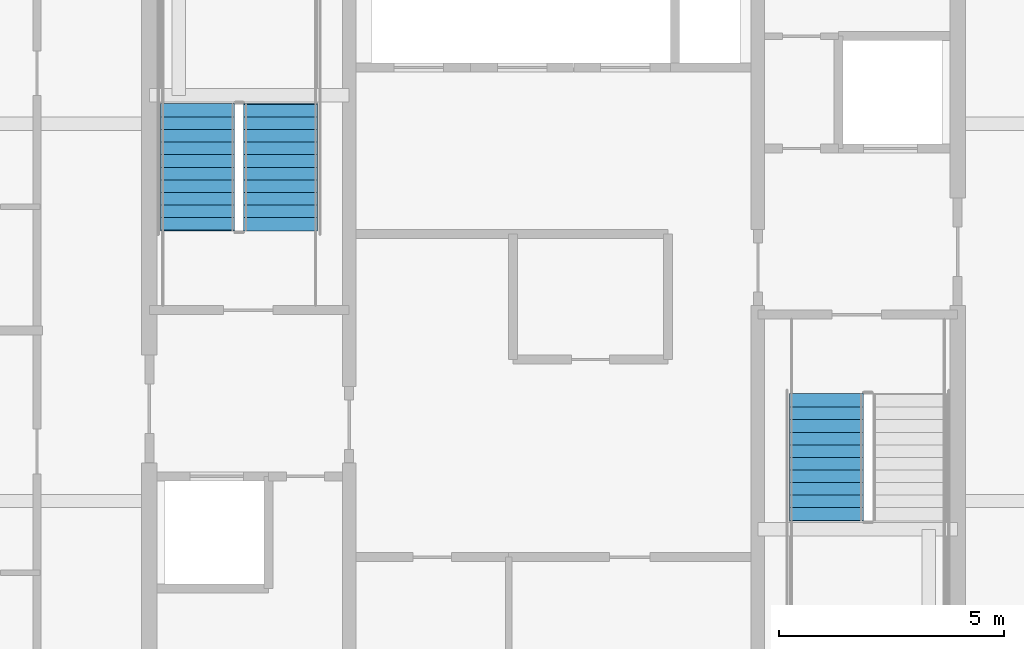
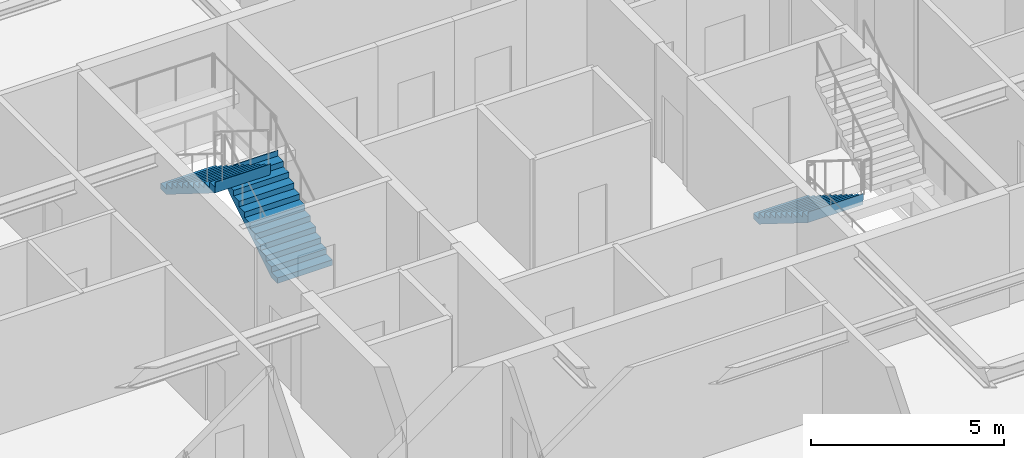
# One storey, part 31 of 37: 3 stair flights, 2 elements without a shape of their own.
"""IFC4 building model written with IfcOpenShell, lengths in metres."""

from ifc_helpers import new_model, si_unit, direction, frame, origin, place, context, subcontext, project, spatial, polygons, material, type_object, element, aggregate, save


model = new_model("IFC4")

# Units and contexts
model_context = context("Model", 3, precision=1e-05, world=origin(), true_north=direction((0.0, 1.0)))
body_context = subcontext(model_context, "Body", "Model", "MODEL_VIEW")
ifc_project = project(units=[si_unit("LENGTHUNIT", "METRE"), si_unit("AREAUNIT", "SQUARE_METRE"), si_unit("VOLUMEUNIT", "CUBIC_METRE"), si_unit("PLANEANGLEUNIT", "RADIAN"), si_unit("MASSUNIT", "GRAM", prefix="KILO")], contexts=[model_context])

# Site, building, storey
site_placement = place(None, origin())
site = spatial("IfcSite", under=ifc_project, at=site_placement, CompositionType="ELEMENT")
building_placement = place(site_placement, origin())
building = spatial("IfcBuilding", under=site, at=building_placement, Name="Serunith Strait Residences", CompositionType="ELEMENT")
storey_placement = place(building_placement, frame((0.0, 0.0, 260.5)))
storey = spatial("IfcBuildingStorey", under=building, at=storey_placement, Name="L65", CompositionType="ELEMENT", Elevation=260.5)

# Stair, stair flights
ifc_material = material(Name="Concrete C50/60", Category="concrete")
stair_type_1 = type_object("IfcStairType", Name="STR-CORE-1", PredefinedType="HALF_TURN_STAIR", material=ifc_material)
stair_1_placement = place(storey_placement, origin())
stair_1 = element("IfcStair", 1, at=stair_1_placement, inside=storey, type_object=stair_type_1, Name="L65 Protected Escape Stair ST-1", PredefinedType="HALF_TURN_STAIR")
stair_flight_type_1 = type_object("IfcStairFlightType", Name="FLT-CORE-1", PredefinedType="STRAIGHT", material=ifc_material)
stair_flight_1_placement = place(storey_placement, frame((26.324951171875, 27.030029296875, 0.0), z_axis=(0.0, 0.0, 1.0), x_axis=(0.0, 1.0, 0.0)))
stair_flight_1 = element("IfcStairFlight", 2, at=stair_flight_1_placement, type_object=stair_flight_type_1, Name="ST-1 flight 1", NumberOfRisers=11, NumberOfTreads=10, PredefinedType="STRAIGHT", RiserHeight=0.175, TreadLength=0.28, context=body_context, shape_type="Tessellation", body=[
    polygons([(-0.02001953125, -0.824951171875, 0.0), (-0.02001953125, -0.824951171875, 0.175048828125), (0.280029296875, -0.824951171875, 0.175048828125), (0.280029296875, -0.824951171875, 0.35009765625), (0.56005859375, -0.824951171875, 0.35009765625), (0.56005859375, -0.824951171875, 0.52490234375), (0.840087890625, -0.824951171875, 0.52490234375), (0.840087890625, -0.824951171875, 0.699951171875), (1.1201171875, -0.824951171875, 0.699951171875), (1.1201171875, -0.824951171875, 0.875), (1.39990234375, -0.824951171875, 0.875), (1.39990234375, -0.824951171875, 1.050048828125), (1.679931640625, -0.824951171875, 1.050048828125), (1.679931640625, -0.824951171875, 1.22509765625), (1.9599609375, -0.824951171875, 1.22509765625), (1.9599609375, -0.824951171875, 1.39990234375), (2.239990234375, -0.824951171875, 1.39990234375), (2.239990234375, -0.824951171875, 1.574951171875), (2.52001953125, -0.824951171875, 1.574951171875), (2.52001953125, -0.824951171875, 1.75), (2.800048828125, -0.824951171875, 1.75), (2.800048828125, -0.824951171875, 1.925048828125), (2.820068359375, -0.824951171875, 1.925048828125), (2.820068359375, -0.824951171875, 1.864990234375), (2.800048828125, -0.824951171875, 1.5732421875), (0.28271484375, -0.824951171875, 0.0), (-0.02001953125, -0.41259765625, 0.0), (-0.02001953125, -0.41259765625, 0.175048828125), (0.280029296875, -0.41259765625, 0.175048828125), (0.280029296875, -0.41259765625, 0.35009765625), (0.56005859375, -0.41259765625, 0.35009765625), (0.56005859375, -0.41259765625, 0.52490234375), (0.840087890625, -0.41259765625, 0.52490234375), (0.840087890625, -0.41259765625, 0.699951171875), (1.1201171875, -0.41259765625, 0.699951171875), (1.1201171875, -0.41259765625, 0.875), (1.39990234375, -0.41259765625, 0.875), (1.39990234375, -0.41259765625, 1.050048828125), (1.679931640625, -0.41259765625, 1.050048828125), (1.679931640625, -0.41259765625, 1.22509765625), (1.9599609375, -0.41259765625, 1.22509765625), (1.9599609375, -0.41259765625, 1.39990234375), (2.239990234375, -0.41259765625, 1.39990234375), (2.239990234375, -0.41259765625, 1.574951171875), (2.52001953125, -0.41259765625, 1.574951171875), (2.52001953125, -0.41259765625, 1.75), (2.800048828125, -0.41259765625, 1.75), (2.800048828125, -0.41259765625, 1.925048828125), (2.820068359375, -0.41259765625, 1.925048828125), (2.820068359375, -0.41259765625, 1.864990234375), (2.800048828125, -0.41259765625, 1.5732421875), (0.28271484375, -0.41259765625, 0.0), (-0.02001953125, 0.0, 0.0), (-0.02001953125, 0.0, 0.175048828125), (0.280029296875, 0.0, 0.175048828125), (0.280029296875, 0.0, 0.35009765625), (0.56005859375, 0.0, 0.35009765625), (0.56005859375, 0.0, 0.52490234375), (0.840087890625, 0.0, 0.52490234375), (0.840087890625, 0.0, 0.699951171875), (1.1201171875, 0.0, 0.699951171875), (1.1201171875, 0.0, 0.875), (1.39990234375, 0.0, 0.875), (1.39990234375, 0.0, 1.050048828125), (1.679931640625, 0.0, 1.050048828125), (1.679931640625, 0.0, 1.22509765625), (1.9599609375, 0.0, 1.22509765625), (1.9599609375, 0.0, 1.39990234375), (2.239990234375, 0.0, 1.39990234375), (2.239990234375, 0.0, 1.574951171875), (2.52001953125, 0.0, 1.574951171875), (2.52001953125, 0.0, 1.75), (2.800048828125, 0.0, 1.75), (2.800048828125, 0.0, 1.925048828125), (2.820068359375, 0.0, 1.925048828125), (2.820068359375, 0.0, 1.864990234375), (2.800048828125, 0.0, 1.5732421875), (0.28271484375, 0.0, 0.0), (-0.02001953125, 0.41259765625, 0.0), (-0.02001953125, 0.41259765625, 0.175048828125), (0.280029296875, 0.41259765625, 0.175048828125), (0.280029296875, 0.41259765625, 0.35009765625), (0.56005859375, 0.41259765625, 0.35009765625), (0.56005859375, 0.41259765625, 0.52490234375), (0.840087890625, 0.41259765625, 0.52490234375), (0.840087890625, 0.41259765625, 0.699951171875), (1.1201171875, 0.41259765625, 0.699951171875), (1.1201171875, 0.41259765625, 0.875), (1.39990234375, 0.41259765625, 0.875), (1.39990234375, 0.41259765625, 1.050048828125), (1.679931640625, 0.41259765625, 1.050048828125), (1.679931640625, 0.41259765625, 1.22509765625), (1.9599609375, 0.41259765625, 1.22509765625), (1.9599609375, 0.41259765625, 1.39990234375), (2.239990234375, 0.41259765625, 1.39990234375), (2.239990234375, 0.41259765625, 1.574951171875), (2.52001953125, 0.41259765625, 1.574951171875), (2.52001953125, 0.41259765625, 1.75), (2.800048828125, 0.41259765625, 1.75), (2.800048828125, 0.41259765625, 1.925048828125), (2.820068359375, 0.41259765625, 1.925048828125), (2.820068359375, 0.41259765625, 1.864990234375), (2.800048828125, 0.41259765625, 1.5732421875), (0.28271484375, 0.41259765625, 0.0), (-0.02001953125, 0.824951171875, 0.0), (-0.02001953125, 0.824951171875, 0.175048828125), (0.280029296875, 0.824951171875, 0.175048828125), (0.280029296875, 0.824951171875, 0.35009765625), (0.56005859375, 0.824951171875, 0.35009765625), (0.56005859375, 0.824951171875, 0.52490234375), (0.840087890625, 0.824951171875, 0.52490234375), (0.840087890625, 0.824951171875, 0.699951171875), (1.1201171875, 0.824951171875, 0.699951171875), (1.1201171875, 0.824951171875, 0.875), (1.39990234375, 0.824951171875, 0.875), (1.39990234375, 0.824951171875, 1.050048828125), (1.679931640625, 0.824951171875, 1.050048828125), (1.679931640625, 0.824951171875, 1.22509765625), (1.9599609375, 0.824951171875, 1.22509765625), (1.9599609375, 0.824951171875, 1.39990234375), (2.239990234375, 0.824951171875, 1.39990234375), (2.239990234375, 0.824951171875, 1.574951171875), (2.52001953125, 0.824951171875, 1.574951171875), (2.52001953125, 0.824951171875, 1.75), (2.800048828125, 0.824951171875, 1.75), (2.800048828125, 0.824951171875, 1.925048828125), (2.820068359375, 0.824951171875, 1.925048828125), (2.820068359375, 0.824951171875, 1.864990234375), (2.800048828125, 0.824951171875, 1.5732421875), (0.28271484375, 0.824951171875, 0.0)], [[[1, 2, 28, 27]], [[2, 3, 29, 28]], [[3, 4, 30, 29]], [[4, 5, 31, 30]], [[5, 6, 32, 31]], [[6, 7, 33, 32]], [[7, 8, 34, 33]], [[8, 9, 35, 34]], [[9, 10, 36, 35]], [[10, 11, 37, 36]], [[11, 12, 38, 37]], [[12, 13, 39, 38]], [[13, 14, 40, 39]], [[14, 15, 41, 40]], [[15, 16, 42, 41]], [[16, 17, 43, 42]], [[17, 18, 44, 43]], [[18, 19, 45, 44]], [[19, 20, 46, 45]], [[20, 21, 47, 46]], [[21, 22, 48, 47]], [[22, 23, 49, 48]], [[23, 24, 50, 49]], [[24, 25, 51, 50]], [[25, 26, 52, 51]], [[26, 1, 27, 52]], [[27, 28, 54, 53]], [[28, 29, 55, 54]], [[29, 30, 56, 55]], [[30, 31, 57, 56]], [[31, 32, 58, 57]], [[32, 33, 59, 58]], [[33, 34, 60, 59]], [[34, 35, 61, 60]], [[35, 36, 62, 61]], [[36, 37, 63, 62]], [[37, 38, 64, 63]], [[38, 39, 65, 64]], [[39, 40, 66, 65]], [[40, 41, 67, 66]], [[41, 42, 68, 67]], [[42, 43, 69, 68]], [[43, 44, 70, 69]], [[44, 45, 71, 70]], [[45, 46, 72, 71]], [[46, 47, 73, 72]], [[47, 48, 74, 73]], [[48, 49, 75, 74]], [[49, 50, 76, 75]], [[50, 51, 77, 76]], [[51, 52, 78, 77]], [[52, 27, 53, 78]], [[53, 54, 80, 79]], [[54, 55, 81, 80]], [[55, 56, 82, 81]], [[56, 57, 83, 82]], [[57, 58, 84, 83]], [[58, 59, 85, 84]], [[59, 60, 86, 85]], [[60, 61, 87, 86]], [[61, 62, 88, 87]], [[62, 63, 89, 88]], [[63, 64, 90, 89]], [[64, 65, 91, 90]], [[65, 66, 92, 91]], [[66, 67, 93, 92]], [[67, 68, 94, 93]], [[68, 69, 95, 94]], [[69, 70, 96, 95]], [[70, 71, 97, 96]], [[71, 72, 98, 97]], [[72, 73, 99, 98]], [[73, 74, 100, 99]], [[74, 75, 101, 100]], [[75, 76, 102, 101]], [[76, 77, 103, 102]], [[77, 78, 104, 103]], [[78, 53, 79, 104]], [[79, 80, 106, 105]], [[80, 81, 107, 106]], [[81, 82, 108, 107]], [[82, 83, 109, 108]], [[83, 84, 110, 109]], [[84, 85, 111, 110]], [[85, 86, 112, 111]], [[86, 87, 113, 112]], [[87, 88, 114, 113]], [[88, 89, 115, 114]], [[89, 90, 116, 115]], [[90, 91, 117, 116]], [[91, 92, 118, 117]], [[92, 93, 119, 118]], [[93, 94, 120, 119]], [[94, 95, 121, 120]], [[95, 96, 122, 121]], [[96, 97, 123, 122]], [[97, 98, 124, 123]], [[98, 99, 125, 124]], [[99, 100, 126, 125]], [[100, 101, 127, 126]], [[101, 102, 128, 127]], [[102, 103, 129, 128]], [[103, 104, 130, 129]], [[104, 79, 105, 130]], [[26, 25, 24, 23, 22, 21, 20, 19, 18, 17, 16, 15, 14, 13, 12, 11, 10, 9, 8, 7, 6, 5, 4, 3, 2, 1]], [[105, 106, 107, 108, 109, 110, 111, 112, 113, 114, 115, 116, 117, 118, 119, 120, 121, 122, 123, 124, 125, 126, 127, 128, 129, 130]]], closed=True),
])
stair_flight_2_placement = place(storey_placement, frame((24.47509765625, 29.830078125, 1.925048828125), z_axis=(0.0, 0.0, 1.0), x_axis=(0.0, -1.0, 0.0)))
stair_flight_2 = element("IfcStairFlight", 3, at=stair_flight_2_placement, type_object=stair_flight_type_1, Name="ST-1 flight 2", NumberOfRisers=11, NumberOfTreads=10, PredefinedType="STRAIGHT", RiserHeight=0.175, TreadLength=0.28, context=body_context, shape_type="Tessellation", body=[
    polygons([(-0.02001953125, -0.824951171875, 0.0), (-0.02001953125, -0.824951171875, 0.175048828125), (0.280029296875, -0.824951171875, 0.175048828125), (0.280029296875, -0.824951171875, 0.35009765625), (0.56005859375, -0.824951171875, 0.35009765625), (0.56005859375, -0.824951171875, 0.52490234375), (0.840087890625, -0.824951171875, 0.52490234375), (0.840087890625, -0.824951171875, 0.699951171875), (1.1201171875, -0.824951171875, 0.699951171875), (1.1201171875, -0.824951171875, 0.875), (1.39990234375, -0.824951171875, 0.875), (1.39990234375, -0.824951171875, 1.050048828125), (1.679931640625, -0.824951171875, 1.050048828125), (1.679931640625, -0.824951171875, 1.22509765625), (1.9599609375, -0.824951171875, 1.22509765625), (1.9599609375, -0.824951171875, 1.39990234375), (2.239990234375, -0.824951171875, 1.39990234375), (2.239990234375, -0.824951171875, 1.574951171875), (2.52001953125, -0.824951171875, 1.574951171875), (2.52001953125, -0.824951171875, 1.75), (2.800048828125, -0.824951171875, 1.75), (2.800048828125, -0.824951171875, 1.925048828125), (2.820068359375, -0.824951171875, 1.925048828125), (2.820068359375, -0.824951171875, 1.864990234375), (2.800048828125, -0.824951171875, 1.5732421875), (0.28271484375, -0.824951171875, 0.0), (-0.02001953125, -0.41259765625, 0.0), (-0.02001953125, -0.41259765625, 0.175048828125), (0.280029296875, -0.41259765625, 0.175048828125), (0.280029296875, -0.41259765625, 0.35009765625), (0.56005859375, -0.41259765625, 0.35009765625), (0.56005859375, -0.41259765625, 0.52490234375), (0.840087890625, -0.41259765625, 0.52490234375), (0.840087890625, -0.41259765625, 0.699951171875), (1.1201171875, -0.41259765625, 0.699951171875), (1.1201171875, -0.41259765625, 0.875), (1.39990234375, -0.41259765625, 0.875), (1.39990234375, -0.41259765625, 1.050048828125), (1.679931640625, -0.41259765625, 1.050048828125), (1.679931640625, -0.41259765625, 1.22509765625), (1.9599609375, -0.41259765625, 1.22509765625), (1.9599609375, -0.41259765625, 1.39990234375), (2.239990234375, -0.41259765625, 1.39990234375), (2.239990234375, -0.41259765625, 1.574951171875), (2.52001953125, -0.41259765625, 1.574951171875), (2.52001953125, -0.41259765625, 1.75), (2.800048828125, -0.41259765625, 1.75), (2.800048828125, -0.41259765625, 1.925048828125), (2.820068359375, -0.41259765625, 1.925048828125), (2.820068359375, -0.41259765625, 1.864990234375), (2.800048828125, -0.41259765625, 1.5732421875), (0.28271484375, -0.41259765625, 0.0), (-0.02001953125, 0.0, 0.0), (-0.02001953125, 0.0, 0.175048828125), (0.280029296875, 0.0, 0.175048828125), (0.280029296875, 0.0, 0.35009765625), (0.56005859375, 0.0, 0.35009765625), (0.56005859375, 0.0, 0.52490234375), (0.840087890625, 0.0, 0.52490234375), (0.840087890625, 0.0, 0.699951171875), (1.1201171875, 0.0, 0.699951171875), (1.1201171875, 0.0, 0.875), (1.39990234375, 0.0, 0.875), (1.39990234375, 0.0, 1.050048828125), (1.679931640625, 0.0, 1.050048828125), (1.679931640625, 0.0, 1.22509765625), (1.9599609375, 0.0, 1.22509765625), (1.9599609375, 0.0, 1.39990234375), (2.239990234375, 0.0, 1.39990234375), (2.239990234375, 0.0, 1.574951171875), (2.52001953125, 0.0, 1.574951171875), (2.52001953125, 0.0, 1.75), (2.800048828125, 0.0, 1.75), (2.800048828125, 0.0, 1.925048828125), (2.820068359375, 0.0, 1.925048828125), (2.820068359375, 0.0, 1.864990234375), (2.800048828125, 0.0, 1.5732421875), (0.28271484375, 0.0, 0.0), (-0.02001953125, 0.41259765625, 0.0), (-0.02001953125, 0.41259765625, 0.175048828125), (0.280029296875, 0.41259765625, 0.175048828125), (0.280029296875, 0.41259765625, 0.35009765625), (0.56005859375, 0.41259765625, 0.35009765625), (0.56005859375, 0.41259765625, 0.52490234375), (0.840087890625, 0.41259765625, 0.52490234375), (0.840087890625, 0.41259765625, 0.699951171875), (1.1201171875, 0.41259765625, 0.699951171875), (1.1201171875, 0.41259765625, 0.875), (1.39990234375, 0.41259765625, 0.875), (1.39990234375, 0.41259765625, 1.050048828125), (1.679931640625, 0.41259765625, 1.050048828125), (1.679931640625, 0.41259765625, 1.22509765625), (1.9599609375, 0.41259765625, 1.22509765625), (1.9599609375, 0.41259765625, 1.39990234375), (2.239990234375, 0.41259765625, 1.39990234375), (2.239990234375, 0.41259765625, 1.574951171875), (2.52001953125, 0.41259765625, 1.574951171875), (2.52001953125, 0.41259765625, 1.75), (2.800048828125, 0.41259765625, 1.75), (2.800048828125, 0.41259765625, 1.925048828125), (2.820068359375, 0.41259765625, 1.925048828125), (2.820068359375, 0.41259765625, 1.864990234375), (2.800048828125, 0.41259765625, 1.5732421875), (0.28271484375, 0.41259765625, 0.0), (-0.02001953125, 0.824951171875, 0.0), (-0.02001953125, 0.824951171875, 0.175048828125), (0.280029296875, 0.824951171875, 0.175048828125), (0.280029296875, 0.824951171875, 0.35009765625), (0.56005859375, 0.824951171875, 0.35009765625), (0.56005859375, 0.824951171875, 0.52490234375), (0.840087890625, 0.824951171875, 0.52490234375), (0.840087890625, 0.824951171875, 0.699951171875), (1.1201171875, 0.824951171875, 0.699951171875), (1.1201171875, 0.824951171875, 0.875), (1.39990234375, 0.824951171875, 0.875), (1.39990234375, 0.824951171875, 1.050048828125), (1.679931640625, 0.824951171875, 1.050048828125), (1.679931640625, 0.824951171875, 1.22509765625), (1.9599609375, 0.824951171875, 1.22509765625), (1.9599609375, 0.824951171875, 1.39990234375), (2.239990234375, 0.824951171875, 1.39990234375), (2.239990234375, 0.824951171875, 1.574951171875), (2.52001953125, 0.824951171875, 1.574951171875), (2.52001953125, 0.824951171875, 1.75), (2.800048828125, 0.824951171875, 1.75), (2.800048828125, 0.824951171875, 1.925048828125), (2.820068359375, 0.824951171875, 1.925048828125), (2.820068359375, 0.824951171875, 1.864990234375), (2.800048828125, 0.824951171875, 1.5732421875), (0.28271484375, 0.824951171875, 0.0)], [[[1, 2, 28, 27]], [[2, 3, 29, 28]], [[3, 4, 30, 29]], [[4, 5, 31, 30]], [[5, 6, 32, 31]], [[6, 7, 33, 32]], [[7, 8, 34, 33]], [[8, 9, 35, 34]], [[9, 10, 36, 35]], [[10, 11, 37, 36]], [[11, 12, 38, 37]], [[12, 13, 39, 38]], [[13, 14, 40, 39]], [[14, 15, 41, 40]], [[15, 16, 42, 41]], [[16, 17, 43, 42]], [[17, 18, 44, 43]], [[18, 19, 45, 44]], [[19, 20, 46, 45]], [[20, 21, 47, 46]], [[21, 22, 48, 47]], [[22, 23, 49, 48]], [[23, 24, 50, 49]], [[24, 25, 51, 50]], [[25, 26, 52, 51]], [[26, 1, 27, 52]], [[27, 28, 54, 53]], [[28, 29, 55, 54]], [[29, 30, 56, 55]], [[30, 31, 57, 56]], [[31, 32, 58, 57]], [[32, 33, 59, 58]], [[33, 34, 60, 59]], [[34, 35, 61, 60]], [[35, 36, 62, 61]], [[36, 37, 63, 62]], [[37, 38, 64, 63]], [[38, 39, 65, 64]], [[39, 40, 66, 65]], [[40, 41, 67, 66]], [[41, 42, 68, 67]], [[42, 43, 69, 68]], [[43, 44, 70, 69]], [[44, 45, 71, 70]], [[45, 46, 72, 71]], [[46, 47, 73, 72]], [[47, 48, 74, 73]], [[48, 49, 75, 74]], [[49, 50, 76, 75]], [[50, 51, 77, 76]], [[51, 52, 78, 77]], [[52, 27, 53, 78]], [[53, 54, 80, 79]], [[54, 55, 81, 80]], [[55, 56, 82, 81]], [[56, 57, 83, 82]], [[57, 58, 84, 83]], [[58, 59, 85, 84]], [[59, 60, 86, 85]], [[60, 61, 87, 86]], [[61, 62, 88, 87]], [[62, 63, 89, 88]], [[63, 64, 90, 89]], [[64, 65, 91, 90]], [[65, 66, 92, 91]], [[66, 67, 93, 92]], [[67, 68, 94, 93]], [[68, 69, 95, 94]], [[69, 70, 96, 95]], [[70, 71, 97, 96]], [[71, 72, 98, 97]], [[72, 73, 99, 98]], [[73, 74, 100, 99]], [[74, 75, 101, 100]], [[75, 76, 102, 101]], [[76, 77, 103, 102]], [[77, 78, 104, 103]], [[78, 53, 79, 104]], [[79, 80, 106, 105]], [[80, 81, 107, 106]], [[81, 82, 108, 107]], [[82, 83, 109, 108]], [[83, 84, 110, 109]], [[84, 85, 111, 110]], [[85, 86, 112, 111]], [[86, 87, 113, 112]], [[87, 88, 114, 113]], [[88, 89, 115, 114]], [[89, 90, 116, 115]], [[90, 91, 117, 116]], [[91, 92, 118, 117]], [[92, 93, 119, 118]], [[93, 94, 120, 119]], [[94, 95, 121, 120]], [[95, 96, 122, 121]], [[96, 97, 123, 122]], [[97, 98, 124, 123]], [[98, 99, 125, 124]], [[99, 100, 126, 125]], [[100, 101, 127, 126]], [[101, 102, 128, 127]], [[102, 103, 129, 128]], [[103, 104, 130, 129]], [[104, 79, 105, 130]], [[26, 25, 24, 23, 22, 21, 20, 19, 18, 17, 16, 15, 14, 13, 12, 11, 10, 9, 8, 7, 6, 5, 4, 3, 2, 1]], [[105, 106, 107, 108, 109, 110, 111, 112, 113, 114, 115, 116, 117, 118, 119, 120, 121, 122, 123, 124, 125, 126, 127, 128, 129, 130]]], closed=True),
])
aggregate(stair_1, [stair_flight_1, stair_flight_2])

# Stair, stair flight
stair_type_2 = type_object("IfcStairType", Name="STR-CORE-2", PredefinedType="HALF_TURN_STAIR", material=ifc_material)
stair_2_placement = place(storey_placement, origin())
stair_2 = element("IfcStair", 4, at=stair_2_placement, inside=storey, type_object=stair_type_2, Name="L65 Protected Escape Stair ST-2", PredefinedType="HALF_TURN_STAIR")
stair_flight_type_2 = type_object("IfcStairFlightType", Name="FLT-CORE-2", PredefinedType="STRAIGHT", material=ifc_material)
stair_flight_3_placement = place(storey_placement, frame((38.47509765625, 23.3701171875, 0.0), z_axis=(0.0, 0.0, 1.0), x_axis=(0.0, -1.0, 0.0)))
stair_flight_3 = element("IfcStairFlight", 5, at=stair_flight_3_placement, type_object=stair_flight_type_2, Name="ST-2 flight 1", NumberOfRisers=11, NumberOfTreads=10, PredefinedType="STRAIGHT", RiserHeight=0.175, TreadLength=0.28, context=body_context, shape_type="Tessellation", body=[
    polygons([(-0.02001953125, -0.824951171875, 0.0), (-0.02001953125, -0.824951171875, 0.175048828125), (0.280029296875, -0.824951171875, 0.175048828125), (0.280029296875, -0.824951171875, 0.35009765625), (0.56005859375, -0.824951171875, 0.35009765625), (0.56005859375, -0.824951171875, 0.52490234375), (0.840087890625, -0.824951171875, 0.52490234375), (0.840087890625, -0.824951171875, 0.699951171875), (1.1201171875, -0.824951171875, 0.699951171875), (1.1201171875, -0.824951171875, 0.875), (1.39990234375, -0.824951171875, 0.875), (1.39990234375, -0.824951171875, 1.050048828125), (1.679931640625, -0.824951171875, 1.050048828125), (1.679931640625, -0.824951171875, 1.22509765625), (1.9599609375, -0.824951171875, 1.22509765625), (1.9599609375, -0.824951171875, 1.39990234375), (2.239990234375, -0.824951171875, 1.39990234375), (2.239990234375, -0.824951171875, 1.574951171875), (2.52001953125, -0.824951171875, 1.574951171875), (2.52001953125, -0.824951171875, 1.75), (2.800048828125, -0.824951171875, 1.75), (2.800048828125, -0.824951171875, 1.925048828125), (2.820068359375, -0.824951171875, 1.925048828125), (2.820068359375, -0.824951171875, 1.864990234375), (2.800048828125, -0.824951171875, 1.5732421875), (0.28271484375, -0.824951171875, 0.0), (-0.02001953125, -0.41259765625, 0.0), (-0.02001953125, -0.41259765625, 0.175048828125), (0.280029296875, -0.41259765625, 0.175048828125), (0.280029296875, -0.41259765625, 0.35009765625), (0.56005859375, -0.41259765625, 0.35009765625), (0.56005859375, -0.41259765625, 0.52490234375), (0.840087890625, -0.41259765625, 0.52490234375), (0.840087890625, -0.41259765625, 0.699951171875), (1.1201171875, -0.41259765625, 0.699951171875), (1.1201171875, -0.41259765625, 0.875), (1.39990234375, -0.41259765625, 0.875), (1.39990234375, -0.41259765625, 1.050048828125), (1.679931640625, -0.41259765625, 1.050048828125), (1.679931640625, -0.41259765625, 1.22509765625), (1.9599609375, -0.41259765625, 1.22509765625), (1.9599609375, -0.41259765625, 1.39990234375), (2.239990234375, -0.41259765625, 1.39990234375), (2.239990234375, -0.41259765625, 1.574951171875), (2.52001953125, -0.41259765625, 1.574951171875), (2.52001953125, -0.41259765625, 1.75), (2.800048828125, -0.41259765625, 1.75), (2.800048828125, -0.41259765625, 1.925048828125), (2.820068359375, -0.41259765625, 1.925048828125), (2.820068359375, -0.41259765625, 1.864990234375), (2.800048828125, -0.41259765625, 1.5732421875), (0.28271484375, -0.41259765625, 0.0), (-0.02001953125, 0.0, 0.0), (-0.02001953125, 0.0, 0.175048828125), (0.280029296875, 0.0, 0.175048828125), (0.280029296875, 0.0, 0.35009765625), (0.56005859375, 0.0, 0.35009765625), (0.56005859375, 0.0, 0.52490234375), (0.840087890625, 0.0, 0.52490234375), (0.840087890625, 0.0, 0.699951171875), (1.1201171875, 0.0, 0.699951171875), (1.1201171875, 0.0, 0.875), (1.39990234375, 0.0, 0.875), (1.39990234375, 0.0, 1.050048828125), (1.679931640625, 0.0, 1.050048828125), (1.679931640625, 0.0, 1.22509765625), (1.9599609375, 0.0, 1.22509765625), (1.9599609375, 0.0, 1.39990234375), (2.239990234375, 0.0, 1.39990234375), (2.239990234375, 0.0, 1.574951171875), (2.52001953125, 0.0, 1.574951171875), (2.52001953125, 0.0, 1.75), (2.800048828125, 0.0, 1.75), (2.800048828125, 0.0, 1.925048828125), (2.820068359375, 0.0, 1.925048828125), (2.820068359375, 0.0, 1.864990234375), (2.800048828125, 0.0, 1.5732421875), (0.28271484375, 0.0, 0.0), (-0.02001953125, 0.41259765625, 0.0), (-0.02001953125, 0.41259765625, 0.175048828125), (0.280029296875, 0.41259765625, 0.175048828125), (0.280029296875, 0.41259765625, 0.35009765625), (0.56005859375, 0.41259765625, 0.35009765625), (0.56005859375, 0.41259765625, 0.52490234375), (0.840087890625, 0.41259765625, 0.52490234375), (0.840087890625, 0.41259765625, 0.699951171875), (1.1201171875, 0.41259765625, 0.699951171875), (1.1201171875, 0.41259765625, 0.875), (1.39990234375, 0.41259765625, 0.875), (1.39990234375, 0.41259765625, 1.050048828125), (1.679931640625, 0.41259765625, 1.050048828125), (1.679931640625, 0.41259765625, 1.22509765625), (1.9599609375, 0.41259765625, 1.22509765625), (1.9599609375, 0.41259765625, 1.39990234375), (2.239990234375, 0.41259765625, 1.39990234375), (2.239990234375, 0.41259765625, 1.574951171875), (2.52001953125, 0.41259765625, 1.574951171875), (2.52001953125, 0.41259765625, 1.75), (2.800048828125, 0.41259765625, 1.75), (2.800048828125, 0.41259765625, 1.925048828125), (2.820068359375, 0.41259765625, 1.925048828125), (2.820068359375, 0.41259765625, 1.864990234375), (2.800048828125, 0.41259765625, 1.5732421875), (0.28271484375, 0.41259765625, 0.0), (-0.02001953125, 0.824951171875, 0.0), (-0.02001953125, 0.824951171875, 0.175048828125), (0.280029296875, 0.824951171875, 0.175048828125), (0.280029296875, 0.824951171875, 0.35009765625), (0.56005859375, 0.824951171875, 0.35009765625), (0.56005859375, 0.824951171875, 0.52490234375), (0.840087890625, 0.824951171875, 0.52490234375), (0.840087890625, 0.824951171875, 0.699951171875), (1.1201171875, 0.824951171875, 0.699951171875), (1.1201171875, 0.824951171875, 0.875), (1.39990234375, 0.824951171875, 0.875), (1.39990234375, 0.824951171875, 1.050048828125), (1.679931640625, 0.824951171875, 1.050048828125), (1.679931640625, 0.824951171875, 1.22509765625), (1.9599609375, 0.824951171875, 1.22509765625), (1.9599609375, 0.824951171875, 1.39990234375), (2.239990234375, 0.824951171875, 1.39990234375), (2.239990234375, 0.824951171875, 1.574951171875), (2.52001953125, 0.824951171875, 1.574951171875), (2.52001953125, 0.824951171875, 1.75), (2.800048828125, 0.824951171875, 1.75), (2.800048828125, 0.824951171875, 1.925048828125), (2.820068359375, 0.824951171875, 1.925048828125), (2.820068359375, 0.824951171875, 1.864990234375), (2.800048828125, 0.824951171875, 1.5732421875), (0.28271484375, 0.824951171875, 0.0)], [[[1, 2, 28, 27]], [[2, 3, 29, 28]], [[3, 4, 30, 29]], [[4, 5, 31, 30]], [[5, 6, 32, 31]], [[6, 7, 33, 32]], [[7, 8, 34, 33]], [[8, 9, 35, 34]], [[9, 10, 36, 35]], [[10, 11, 37, 36]], [[11, 12, 38, 37]], [[12, 13, 39, 38]], [[13, 14, 40, 39]], [[14, 15, 41, 40]], [[15, 16, 42, 41]], [[16, 17, 43, 42]], [[17, 18, 44, 43]], [[18, 19, 45, 44]], [[19, 20, 46, 45]], [[20, 21, 47, 46]], [[21, 22, 48, 47]], [[22, 23, 49, 48]], [[23, 24, 50, 49]], [[24, 25, 51, 50]], [[25, 26, 52, 51]], [[26, 1, 27, 52]], [[27, 28, 54, 53]], [[28, 29, 55, 54]], [[29, 30, 56, 55]], [[30, 31, 57, 56]], [[31, 32, 58, 57]], [[32, 33, 59, 58]], [[33, 34, 60, 59]], [[34, 35, 61, 60]], [[35, 36, 62, 61]], [[36, 37, 63, 62]], [[37, 38, 64, 63]], [[38, 39, 65, 64]], [[39, 40, 66, 65]], [[40, 41, 67, 66]], [[41, 42, 68, 67]], [[42, 43, 69, 68]], [[43, 44, 70, 69]], [[44, 45, 71, 70]], [[45, 46, 72, 71]], [[46, 47, 73, 72]], [[47, 48, 74, 73]], [[48, 49, 75, 74]], [[49, 50, 76, 75]], [[50, 51, 77, 76]], [[51, 52, 78, 77]], [[52, 27, 53, 78]], [[53, 54, 80, 79]], [[54, 55, 81, 80]], [[55, 56, 82, 81]], [[56, 57, 83, 82]], [[57, 58, 84, 83]], [[58, 59, 85, 84]], [[59, 60, 86, 85]], [[60, 61, 87, 86]], [[61, 62, 88, 87]], [[62, 63, 89, 88]], [[63, 64, 90, 89]], [[64, 65, 91, 90]], [[65, 66, 92, 91]], [[66, 67, 93, 92]], [[67, 68, 94, 93]], [[68, 69, 95, 94]], [[69, 70, 96, 95]], [[70, 71, 97, 96]], [[71, 72, 98, 97]], [[72, 73, 99, 98]], [[73, 74, 100, 99]], [[74, 75, 101, 100]], [[75, 76, 102, 101]], [[76, 77, 103, 102]], [[77, 78, 104, 103]], [[78, 53, 79, 104]], [[79, 80, 106, 105]], [[80, 81, 107, 106]], [[81, 82, 108, 107]], [[82, 83, 109, 108]], [[83, 84, 110, 109]], [[84, 85, 111, 110]], [[85, 86, 112, 111]], [[86, 87, 113, 112]], [[87, 88, 114, 113]], [[88, 89, 115, 114]], [[89, 90, 116, 115]], [[90, 91, 117, 116]], [[91, 92, 118, 117]], [[92, 93, 119, 118]], [[93, 94, 120, 119]], [[94, 95, 121, 120]], [[95, 96, 122, 121]], [[96, 97, 123, 122]], [[97, 98, 124, 123]], [[98, 99, 125, 124]], [[99, 100, 126, 125]], [[100, 101, 127, 126]], [[101, 102, 128, 127]], [[102, 103, 129, 128]], [[103, 104, 130, 129]], [[104, 79, 105, 130]], [[26, 25, 24, 23, 22, 21, 20, 19, 18, 17, 16, 15, 14, 13, 12, 11, 10, 9, 8, 7, 6, 5, 4, 3, 2, 1]], [[105, 106, 107, 108, 109, 110, 111, 112, 113, 114, 115, 116, 117, 118, 119, 120, 121, 122, 123, 124, 125, 126, 127, 128, 129, 130]]], closed=True),
])
aggregate(stair_2, [stair_flight_3])

save(model, "model.ifc")
